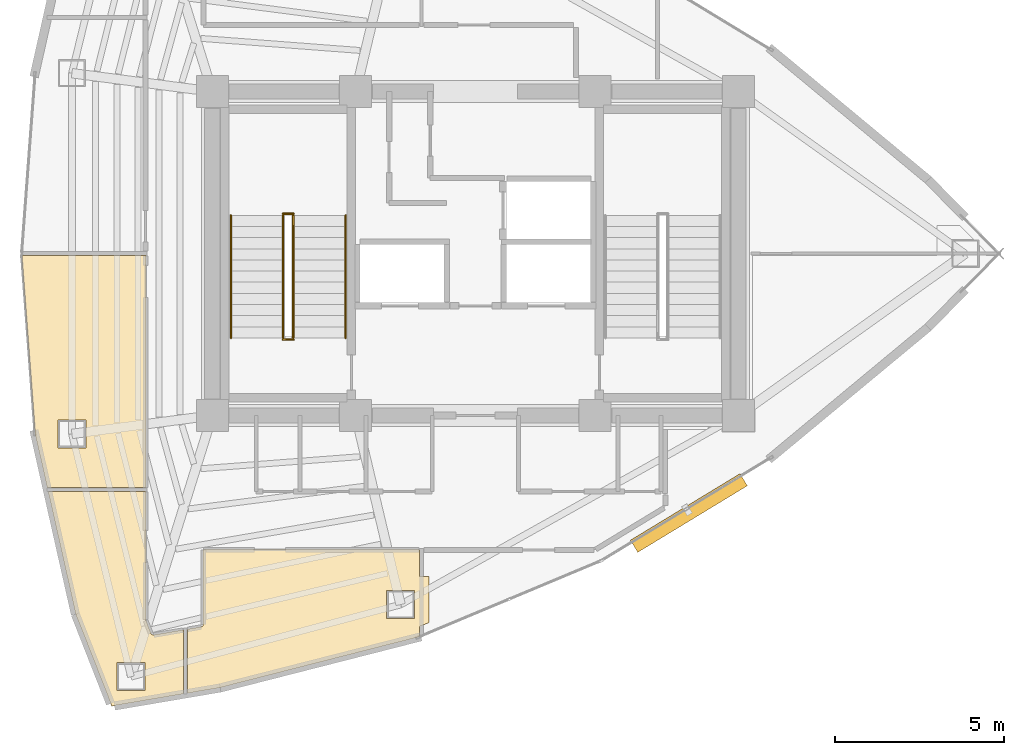
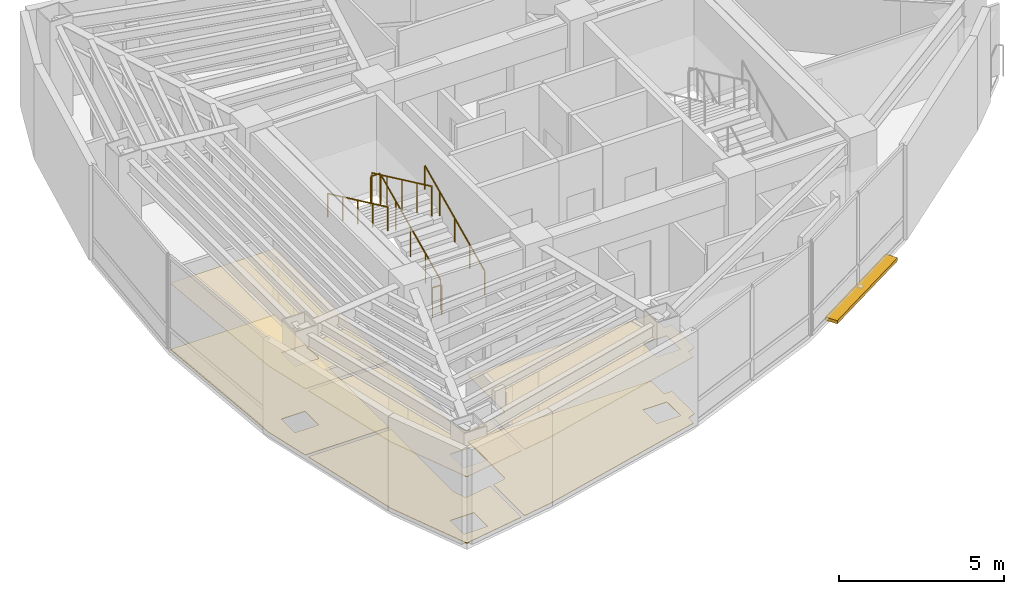
# One storey, part 14 of 15: 6 coverings, 6 railings, 1 shading device.
"""IFC4 building model written with IfcOpenShell, lengths in metres."""

from ifc_helpers import new_model, si_unit, direction, frame, origin, origin_2d, place, context, subcontext, project, spatial, polyline, rectangle, circle, outline, extrude, material, layer, layer_set, type_object, element, save


model = new_model("IFC4")

# Units and contexts
model_context = context("Model", 3, precision=1e-05, world=origin(), true_north=direction((0.0, 1.0)))
body_context = subcontext(model_context, "Body", "Model", "MODEL_VIEW")
ifc_project = project(units=[si_unit("LENGTHUNIT", "METRE"), si_unit("AREAUNIT", "SQUARE_METRE"), si_unit("VOLUMEUNIT", "CUBIC_METRE"), si_unit("PLANEANGLEUNIT", "RADIAN"), si_unit("MASSUNIT", "GRAM", prefix="KILO")], contexts=[model_context])

# Site, building, storey
site_placement = place(None, origin())
site = spatial("IfcSite", under=ifc_project, at=site_placement, CompositionType="ELEMENT")
building_placement = place(site_placement, origin())
building = spatial("IfcBuilding", under=site, at=building_placement, Name="Menara Vayukalpa", CompositionType="ELEMENT")
storey_placement = place(building_placement, frame((0.0, 0.0, 291.780029296875)))
storey = spatial("IfcBuildingStorey", under=building, at=storey_placement, Name="L74", CompositionType="ELEMENT", Elevation=291.780029296875)

# Coverings
ifc_material_1 = material(Name="Mineral Fibre Acoustic Ceiling Tile", Category="masonry")
ifc_layer_1 = layer(ifc_material_1, 0.02490234375)
ifc_layer_set_1 = layer_set([ifc_layer_1], Name="Mineral Fibre Acoustic Ceiling Tile")
covering_type_1 = type_object("IfcCoveringType", Name="COV-CLG1", PredefinedType="CEILING", material=ifc_layer_set_1)
covering_1_placement = place(storey_placement, frame((0.0, 0.0, 2.449951171875)))
element("IfcCovering", 1, at=covering_1_placement, inside=storey, type_object=covering_type_1, Name="L74 Visitor Reception Lounge Acoustic Ceiling", PredefinedType="CEILING", context=body_context, shape_type="SweptSolid", body=[
    extrude(outline(polyline([(12.1533203125, 21.92919921875), (12.1533203125, 21.93017578125), (12.1533203125, 21.93115234375), (12.153564453125, 21.93212890625), (12.15380859375, 21.93310546875), (12.154052734375, 21.93408203125), (12.154541015625, 21.934814453125), (12.155029296875, 21.935791015625), (12.155517578125, 21.936279296875), (12.15625, 21.93701171875), (12.156982421875, 21.937744140625), (12.15771484375, 21.9384765625), (12.15869140625, 21.93896484375), (12.159423828125, 21.939208984375), (12.160400390625, 21.939697265625), (12.161376953125, 21.939697265625), (12.162353515625, 21.93994140625), (12.163330078125, 21.93994140625), (15.820068359375, 21.93994140625), (15.821044921875, 21.93994140625), (15.822021484375, 21.939697265625), (15.822998046875, 21.939697265625), (15.82373046875, 21.939208984375), (15.82470703125, 21.938720703125), (15.82568359375, 21.938232421875), (15.826416015625, 21.937744140625), (15.8271484375, 21.93701171875), (15.82763671875, 21.936279296875), (15.828369140625, 21.935546875), (15.828857421875, 21.934814453125), (15.8291015625, 21.933837890625), (15.82958984375, 21.932861328125), (15.829833984375, 21.931884765625), (15.830078125, 21.930908203125), (15.830078125, 21.929931640625), (15.830078125, 15.070068359375), (15.830078125, 15.069091796875), (15.829833984375, 15.068115234375), (15.82958984375, 15.067138671875), (15.8291015625, 15.066162109375), (15.828857421875, 15.065185546875), (15.828369140625, 15.064453125), (15.82763671875, 15.063720703125), (15.8271484375, 15.06298828125), (15.826416015625, 15.062255859375), (15.82568359375, 15.061767578125), (15.82470703125, 15.061279296875), (15.82373046875, 15.060791015625), (15.822998046875, 15.060302734375), (15.822021484375, 15.060302734375), (15.821044921875, 15.06005859375), (15.820068359375, 15.06005859375), (12.915771484375, 15.06005859375), (12.914794921875, 15.06005859375), (12.913818359375, 15.060302734375), (12.912841796875, 15.060302734375), (12.911865234375, 15.060791015625), (12.9111328125, 15.06103515625), (12.91015625, 15.0615234375), (12.909423828125, 15.062255859375), (12.90869140625, 15.062744140625), (12.908203125, 15.0634765625), (12.907470703125, 15.064208984375), (12.906982421875, 15.065185546875), (12.906494140625, 15.06591796875), (12.90625, 15.06689453125), (12.906005859375, 15.06787109375), (12.549072265625, 16.654052734375), (12.548828125, 16.655517578125), (12.1533203125, 21.92919921875)]), holes=[polyline([(14.053955078125, 17.068359375), (13.22412109375, 17.068359375), (13.22412109375, 16.23828125), (14.053955078125, 16.23828125), (14.053955078125, 17.068359375)])]), origin(), (0.0, 0.0, 1.0), 0.02490234375),
])
covering_2_placement = place(storey_placement, frame((0.0, 0.0, 2.449951171875)))
element("IfcCovering", 2, at=covering_2_placement, inside=storey, type_object=covering_type_1, Name="L74 Visitor Reception Lounge Acoustic Ceiling", PredefinedType="CEILING", context=body_context, shape_type="SweptSolid", body=[
    extrude(outline(polyline([(14.826416015625, 8.589111328125), (14.82568359375, 8.58935546875), (14.82470703125, 8.58935546875), (14.82373046875, 8.589599609375), (14.82275390625, 8.590087890625), (14.822021484375, 8.590576171875), (14.821044921875, 8.591064453125), (14.8203125, 8.591552734375), (14.819580078125, 8.59228515625), (14.81884765625, 8.593017578125), (14.818359375, 8.59375), (14.81787109375, 8.5947265625), (14.8173828125, 8.595458984375), (13.751953125, 11.308837890625), (13.751708984375, 11.309814453125), (13.75146484375, 11.310302734375), (12.9375, 14.927734375), (12.937255859375, 14.9287109375), (12.937255859375, 14.9296875), (12.937255859375, 14.930908203125), (12.9375, 14.931884765625), (12.9375, 14.9326171875), (12.93798828125, 14.93359375), (12.938232421875, 14.9345703125), (12.938720703125, 14.935302734375), (12.939453125, 14.936279296875), (12.940185546875, 14.93701171875), (12.94091796875, 14.937744140625), (12.941650390625, 14.938232421875), (12.9423828125, 14.938720703125), (12.943359375, 14.939208984375), (12.9443359375, 14.939697265625), (12.9453125, 14.939697265625), (12.9462890625, 14.93994140625), (12.947265625, 14.93994140625), (15.820068359375, 14.93994140625), (15.821044921875, 14.93994140625), (15.822021484375, 14.939697265625), (15.822998046875, 14.939697265625), (15.82373046875, 14.939208984375), (15.82470703125, 14.938720703125), (15.82568359375, 14.938232421875), (15.826416015625, 14.937744140625), (15.8271484375, 14.93701171875), (15.82763671875, 14.936279296875), (15.828369140625, 14.935546875), (15.828857421875, 14.934814453125), (15.8291015625, 14.933837890625), (15.82958984375, 14.932861328125), (15.829833984375, 14.931884765625), (15.830078125, 14.930908203125), (15.830078125, 14.929931640625), (15.830078125, 11.146484375), (15.830322265625, 11.1396484375), (15.831298828125, 11.13330078125), (15.832763671875, 11.126708984375), (15.8349609375, 11.12060546875), (15.984619140625, 10.7392578125), (15.987548828125, 10.732666015625), (15.990966796875, 10.726806640625), (15.994873046875, 10.72119140625), (15.999267578125, 10.716064453125), (16.00439453125, 10.71142578125), (16.009765625, 10.707275390625), (16.015625, 10.70361328125), (16.021484375, 10.700439453125), (16.02783203125, 10.697998046875), (16.034423828125, 10.6962890625), (16.041259765625, 10.695068359375), (16.048095703125, 10.694580078125), (16.054931640625, 10.694580078125), (16.06201171875, 10.695556640625), (16.92822265625, 10.8427734375), (16.92919921875, 10.8427734375), (16.93017578125, 10.8427734375), (16.93115234375, 10.8427734375), (16.93212890625, 10.842529296875), (16.93310546875, 10.84228515625), (16.93408203125, 10.842041015625), (16.934814453125, 10.841552734375), (16.935791015625, 10.841064453125), (16.9365234375, 10.84033203125), (16.937255859375, 10.83984375), (16.937744140625, 10.839111328125), (16.9384765625, 10.83837890625), (16.93896484375, 10.83740234375), (16.939208984375, 10.836669921875), (16.939697265625, 10.835693359375), (16.939697265625, 10.834716796875), (16.93994140625, 10.833740234375), (16.93994140625, 10.832763671875), (16.93994140625, 8.956298828125), (16.93994140625, 8.955322265625), (16.939697265625, 8.954345703125), (16.939697265625, 8.953369140625), (16.939208984375, 8.952392578125), (16.938720703125, 8.951416015625), (16.938232421875, 8.95068359375), (16.9375, 8.94970703125), (16.93701171875, 8.94921875), (16.936279296875, 8.948486328125), (16.935302734375, 8.947998046875), (16.9345703125, 8.947509765625), (16.93359375, 8.947021484375), (16.9326171875, 8.94677734375), (16.931640625, 8.9462890625), (14.82861328125, 8.58935546875), (14.827392578125, 8.589111328125), (14.826416015625, 8.589111328125)]), holes=[polyline([(14.97412109375, 9.870361328125), (14.97412109375, 9.040283203125), (15.80419921875, 9.040283203125), (15.80419921875, 9.870361328125), (14.97412109375, 9.870361328125)])]), origin(), (0.0, 0.0, 1.0), 0.02490234375),
])
covering_3_placement = place(storey_placement, frame((0.0, 0.0, 2.449951171875)))
element("IfcCovering", 3, at=covering_3_placement, inside=storey, type_object=covering_type_1, Name="L74 Visitor Reception Lounge Acoustic Ceiling", PredefinedType="CEILING", context=body_context, shape_type="SweptSolid", body=[
    extrude(outline(polyline([(18.028564453125, 9.1328125), (18.027587890625, 9.132568359375), (17.07177734375, 8.97021484375), (17.07080078125, 8.97021484375), (17.069580078125, 8.97021484375), (17.06884765625, 8.97021484375), (17.06787109375, 8.97021484375), (17.06689453125, 8.970703125), (17.06591796875, 8.970947265625), (17.065185546875, 8.971435546875), (17.064208984375, 8.971923828125), (17.0634765625, 8.972412109375), (17.062744140625, 8.97314453125), (17.062255859375, 8.973876953125), (17.0615234375, 8.974609375), (17.06103515625, 8.9755859375), (17.060791015625, 8.976318359375), (17.060302734375, 8.977294921875), (17.060302734375, 8.978271484375), (17.06005859375, 8.97900390625), (17.06005859375, 8.97998046875), (17.06005859375, 10.8564453125), (17.06005859375, 10.857421875), (17.060302734375, 10.8583984375), (17.060302734375, 10.859619140625), (17.060791015625, 10.8603515625), (17.061279296875, 10.861328125), (17.061767578125, 10.8623046875), (17.0625, 10.863037109375), (17.06298828125, 10.86376953125), (17.063720703125, 10.8642578125), (17.064697265625, 10.864990234375), (17.0654296875, 10.865478515625), (17.06640625, 10.86572265625), (17.0673828125, 10.8662109375), (17.068359375, 10.866455078125), (17.471435546875, 10.934814453125), (17.478515625, 10.936279296875), (17.485107421875, 10.938720703125), (17.49169921875, 10.94140625), (17.497802734375, 10.94482421875), (17.50341796875, 10.94921875), (17.5087890625, 10.95361328125), (17.513427734375, 10.958740234375), (17.517822265625, 10.96435546875), (17.521484375, 10.97021484375), (17.5244140625, 10.9765625), (17.52685546875, 10.983154296875), (17.528564453125, 10.989990234375), (17.529541015625, 10.996826171875), (17.530029296875, 11.004150390625), (17.530029296875, 13.2099609375), (17.530029296875, 13.2109375), (17.5302734375, 13.2119140625), (17.530517578125, 13.212890625), (17.53076171875, 13.2138671875), (17.53125, 13.214599609375), (17.53173828125, 13.215576171875), (17.5322265625, 13.21630859375), (17.532958984375, 13.217041015625), (17.53369140625, 13.2177734375), (17.534423828125, 13.21826171875), (17.535400390625, 13.21875), (17.5361328125, 13.21923828125), (17.537109375, 13.219482421875), (17.5380859375, 13.2197265625), (17.5390625, 13.219970703125), (17.5400390625, 13.219970703125), (23.929931640625, 13.219970703125), (23.930908203125, 13.219970703125), (23.931884765625, 13.2197265625), (23.932861328125, 13.219482421875), (23.933837890625, 13.21923828125), (23.934814453125, 13.21875), (23.935546875, 13.21826171875), (23.936279296875, 13.2177734375), (23.93701171875, 13.217041015625), (23.937744140625, 13.21630859375), (23.938232421875, 13.215576171875), (23.938720703125, 13.214599609375), (23.939208984375, 13.2138671875), (23.939697265625, 13.212890625), (23.939697265625, 13.2119140625), (23.93994140625, 13.2109375), (23.93994140625, 13.2099609375), (23.93994140625, 12.43017578125), (24.216796875, 12.43017578125), (24.216796875, 11.05908203125), (23.93994140625, 10.943115234375), (23.93994140625, 10.656982421875), (23.93994140625, 10.656005859375), (23.939697265625, 10.6552734375), (23.939697265625, 10.654296875), (23.939208984375, 10.6533203125), (23.938720703125, 10.65234375), (23.938232421875, 10.651611328125), (23.937744140625, 10.65087890625), (23.93701171875, 10.64990234375), (23.936279296875, 10.6494140625), (23.935546875, 10.648681640625), (23.934814453125, 10.648193359375), (23.933837890625, 10.64794921875), (23.878662109375, 10.624755859375), (23.877197265625, 10.624267578125), (18.028564453125, 9.1328125)]), holes=[polyline([(23.796875, 12.01025390625), (22.966796875, 12.01025390625), (22.966796875, 11.18017578125), (23.796875, 11.18017578125), (23.796875, 12.01025390625)])]), origin(), (0.0, 0.0, 1.0), 0.02490234375),
])
ifc_material_2 = material(Name="Porcelain Stoneware Floor Tile", Category="masonry")
ifc_layer_2 = layer(ifc_material_2, 0.02001953125)
ifc_layer_set_2 = layer_set([ifc_layer_2], Name="Porcelain Stoneware Floor Tile")
covering_type_2 = type_object("IfcCoveringType", Name="COV-FLR1", PredefinedType="FLOORING", material=ifc_layer_set_2)
covering_4_placement = place(storey_placement, origin())
element("IfcCovering", 4, at=covering_4_placement, inside=storey, type_object=covering_type_2, Name="L74 Visitor Reception Lounge Porcelain Flooring", PredefinedType="FLOORING", context=body_context, shape_type="SweptSolid", body=[
    extrude(outline(polyline([(12.1533203125, 21.92919921875), (12.1533203125, 21.93017578125), (12.1533203125, 21.93115234375), (12.153564453125, 21.93212890625), (12.15380859375, 21.93310546875), (12.154052734375, 21.93408203125), (12.154541015625, 21.934814453125), (12.155029296875, 21.935791015625), (12.155517578125, 21.936279296875), (12.15625, 21.93701171875), (12.156982421875, 21.937744140625), (12.15771484375, 21.9384765625), (12.15869140625, 21.93896484375), (12.159423828125, 21.939208984375), (12.160400390625, 21.939697265625), (12.161376953125, 21.939697265625), (12.162353515625, 21.93994140625), (12.163330078125, 21.93994140625), (15.820068359375, 21.93994140625), (15.821044921875, 21.93994140625), (15.822021484375, 21.939697265625), (15.822998046875, 21.939697265625), (15.82373046875, 21.939208984375), (15.82470703125, 21.938720703125), (15.82568359375, 21.938232421875), (15.826416015625, 21.937744140625), (15.8271484375, 21.93701171875), (15.82763671875, 21.936279296875), (15.828369140625, 21.935546875), (15.828857421875, 21.934814453125), (15.8291015625, 21.933837890625), (15.82958984375, 21.932861328125), (15.829833984375, 21.931884765625), (15.830078125, 21.930908203125), (15.830078125, 21.929931640625), (15.830078125, 15.070068359375), (15.830078125, 15.069091796875), (15.829833984375, 15.068115234375), (15.82958984375, 15.067138671875), (15.8291015625, 15.066162109375), (15.828857421875, 15.065185546875), (15.828369140625, 15.064453125), (15.82763671875, 15.063720703125), (15.8271484375, 15.06298828125), (15.826416015625, 15.062255859375), (15.82568359375, 15.061767578125), (15.82470703125, 15.061279296875), (15.82373046875, 15.060791015625), (15.822998046875, 15.060302734375), (15.822021484375, 15.060302734375), (15.821044921875, 15.06005859375), (15.820068359375, 15.06005859375), (12.915771484375, 15.06005859375), (12.914794921875, 15.06005859375), (12.913818359375, 15.060302734375), (12.912841796875, 15.060302734375), (12.911865234375, 15.060791015625), (12.9111328125, 15.06103515625), (12.91015625, 15.0615234375), (12.909423828125, 15.062255859375), (12.90869140625, 15.062744140625), (12.908203125, 15.0634765625), (12.907470703125, 15.064208984375), (12.906982421875, 15.065185546875), (12.906494140625, 15.06591796875), (12.90625, 15.06689453125), (12.906005859375, 15.06787109375), (12.549072265625, 16.654052734375), (12.548828125, 16.655517578125), (12.1533203125, 21.92919921875)]), holes=[polyline([(14.053955078125, 17.068359375), (13.22412109375, 17.068359375), (13.22412109375, 16.23828125), (14.053955078125, 16.23828125), (14.053955078125, 17.068359375)])]), origin(), (0.0, 0.0, 1.0), 0.02001953125),
])
covering_5_placement = place(storey_placement, origin())
element("IfcCovering", 5, at=covering_5_placement, inside=storey, type_object=covering_type_2, Name="L74 Visitor Reception Lounge Porcelain Flooring", PredefinedType="FLOORING", context=body_context, shape_type="SweptSolid", body=[
    extrude(outline(polyline([(14.826416015625, 8.589111328125), (14.82568359375, 8.58935546875), (14.82470703125, 8.58935546875), (14.82373046875, 8.589599609375), (14.82275390625, 8.590087890625), (14.822021484375, 8.590576171875), (14.821044921875, 8.591064453125), (14.8203125, 8.591552734375), (14.819580078125, 8.59228515625), (14.81884765625, 8.593017578125), (14.818359375, 8.59375), (14.81787109375, 8.5947265625), (14.8173828125, 8.595458984375), (13.751953125, 11.308837890625), (13.751708984375, 11.309814453125), (13.75146484375, 11.310302734375), (12.9375, 14.927734375), (12.937255859375, 14.9287109375), (12.937255859375, 14.9296875), (12.937255859375, 14.930908203125), (12.9375, 14.931884765625), (12.9375, 14.9326171875), (12.93798828125, 14.93359375), (12.938232421875, 14.9345703125), (12.938720703125, 14.935302734375), (12.939453125, 14.936279296875), (12.940185546875, 14.93701171875), (12.94091796875, 14.937744140625), (12.941650390625, 14.938232421875), (12.9423828125, 14.938720703125), (12.943359375, 14.939208984375), (12.9443359375, 14.939697265625), (12.9453125, 14.939697265625), (12.9462890625, 14.93994140625), (12.947265625, 14.93994140625), (15.820068359375, 14.93994140625), (15.821044921875, 14.93994140625), (15.822021484375, 14.939697265625), (15.822998046875, 14.939697265625), (15.82373046875, 14.939208984375), (15.82470703125, 14.938720703125), (15.82568359375, 14.938232421875), (15.826416015625, 14.937744140625), (15.8271484375, 14.93701171875), (15.82763671875, 14.936279296875), (15.828369140625, 14.935546875), (15.828857421875, 14.934814453125), (15.8291015625, 14.933837890625), (15.82958984375, 14.932861328125), (15.829833984375, 14.931884765625), (15.830078125, 14.930908203125), (15.830078125, 14.929931640625), (15.830078125, 11.146484375), (15.830322265625, 11.1396484375), (15.831298828125, 11.13330078125), (15.832763671875, 11.126708984375), (15.8349609375, 11.12060546875), (15.984619140625, 10.7392578125), (15.987548828125, 10.732666015625), (15.990966796875, 10.726806640625), (15.994873046875, 10.72119140625), (15.999267578125, 10.716064453125), (16.00439453125, 10.71142578125), (16.009765625, 10.707275390625), (16.015625, 10.70361328125), (16.021484375, 10.700439453125), (16.02783203125, 10.697998046875), (16.034423828125, 10.6962890625), (16.041259765625, 10.695068359375), (16.048095703125, 10.694580078125), (16.054931640625, 10.694580078125), (16.06201171875, 10.695556640625), (16.92822265625, 10.8427734375), (16.92919921875, 10.8427734375), (16.93017578125, 10.8427734375), (16.93115234375, 10.8427734375), (16.93212890625, 10.842529296875), (16.93310546875, 10.84228515625), (16.93408203125, 10.842041015625), (16.934814453125, 10.841552734375), (16.935791015625, 10.841064453125), (16.9365234375, 10.84033203125), (16.937255859375, 10.83984375), (16.937744140625, 10.839111328125), (16.9384765625, 10.83837890625), (16.93896484375, 10.83740234375), (16.939208984375, 10.836669921875), (16.939697265625, 10.835693359375), (16.939697265625, 10.834716796875), (16.93994140625, 10.833740234375), (16.93994140625, 10.832763671875), (16.93994140625, 8.956298828125), (16.93994140625, 8.955322265625), (16.939697265625, 8.954345703125), (16.939697265625, 8.953369140625), (16.939208984375, 8.952392578125), (16.938720703125, 8.951416015625), (16.938232421875, 8.95068359375), (16.9375, 8.94970703125), (16.93701171875, 8.94921875), (16.936279296875, 8.948486328125), (16.935302734375, 8.947998046875), (16.9345703125, 8.947509765625), (16.93359375, 8.947021484375), (16.9326171875, 8.94677734375), (16.931640625, 8.9462890625), (14.82861328125, 8.58935546875), (14.827392578125, 8.589111328125), (14.826416015625, 8.589111328125)]), holes=[polyline([(14.97412109375, 9.870361328125), (14.97412109375, 9.040283203125), (15.80419921875, 9.040283203125), (15.80419921875, 9.870361328125), (14.97412109375, 9.870361328125)])]), origin(), (0.0, 0.0, 1.0), 0.02001953125),
])
covering_6_placement = place(storey_placement, origin())
element("IfcCovering", 6, at=covering_6_placement, inside=storey, type_object=covering_type_2, Name="L74 Visitor Reception Lounge Porcelain Flooring", PredefinedType="FLOORING", context=body_context, shape_type="SweptSolid", body=[
    extrude(outline(polyline([(18.028564453125, 9.1328125), (18.027587890625, 9.132568359375), (17.07177734375, 8.97021484375), (17.07080078125, 8.97021484375), (17.069580078125, 8.97021484375), (17.06884765625, 8.97021484375), (17.06787109375, 8.97021484375), (17.06689453125, 8.970703125), (17.06591796875, 8.970947265625), (17.065185546875, 8.971435546875), (17.064208984375, 8.971923828125), (17.0634765625, 8.972412109375), (17.062744140625, 8.97314453125), (17.062255859375, 8.973876953125), (17.0615234375, 8.974609375), (17.06103515625, 8.9755859375), (17.060791015625, 8.976318359375), (17.060302734375, 8.977294921875), (17.060302734375, 8.978271484375), (17.06005859375, 8.97900390625), (17.06005859375, 8.97998046875), (17.06005859375, 10.8564453125), (17.06005859375, 10.857421875), (17.060302734375, 10.8583984375), (17.060302734375, 10.859619140625), (17.060791015625, 10.8603515625), (17.061279296875, 10.861328125), (17.061767578125, 10.8623046875), (17.0625, 10.863037109375), (17.06298828125, 10.86376953125), (17.063720703125, 10.8642578125), (17.064697265625, 10.864990234375), (17.0654296875, 10.865478515625), (17.06640625, 10.86572265625), (17.0673828125, 10.8662109375), (17.068359375, 10.866455078125), (17.471435546875, 10.934814453125), (17.478515625, 10.936279296875), (17.485107421875, 10.938720703125), (17.49169921875, 10.94140625), (17.497802734375, 10.94482421875), (17.50341796875, 10.94921875), (17.5087890625, 10.95361328125), (17.513427734375, 10.958740234375), (17.517822265625, 10.96435546875), (17.521484375, 10.97021484375), (17.5244140625, 10.9765625), (17.52685546875, 10.983154296875), (17.528564453125, 10.989990234375), (17.529541015625, 10.996826171875), (17.530029296875, 11.004150390625), (17.530029296875, 13.2099609375), (17.530029296875, 13.2109375), (17.5302734375, 13.2119140625), (17.530517578125, 13.212890625), (17.53076171875, 13.2138671875), (17.53125, 13.214599609375), (17.53173828125, 13.215576171875), (17.5322265625, 13.21630859375), (17.532958984375, 13.217041015625), (17.53369140625, 13.2177734375), (17.534423828125, 13.21826171875), (17.535400390625, 13.21875), (17.5361328125, 13.21923828125), (17.537109375, 13.219482421875), (17.5380859375, 13.2197265625), (17.5390625, 13.219970703125), (17.5400390625, 13.219970703125), (23.929931640625, 13.219970703125), (23.930908203125, 13.219970703125), (23.931884765625, 13.2197265625), (23.932861328125, 13.219482421875), (23.933837890625, 13.21923828125), (23.934814453125, 13.21875), (23.935546875, 13.21826171875), (23.936279296875, 13.2177734375), (23.93701171875, 13.217041015625), (23.937744140625, 13.21630859375), (23.938232421875, 13.215576171875), (23.938720703125, 13.214599609375), (23.939208984375, 13.2138671875), (23.939697265625, 13.212890625), (23.939697265625, 13.2119140625), (23.93994140625, 13.2109375), (23.93994140625, 13.2099609375), (23.93994140625, 12.43017578125), (24.216796875, 12.43017578125), (24.216796875, 11.05908203125), (23.93994140625, 10.943115234375), (23.93994140625, 10.656982421875), (23.93994140625, 10.656005859375), (23.939697265625, 10.6552734375), (23.939697265625, 10.654296875), (23.939208984375, 10.6533203125), (23.938720703125, 10.65234375), (23.938232421875, 10.651611328125), (23.937744140625, 10.65087890625), (23.93701171875, 10.64990234375), (23.936279296875, 10.6494140625), (23.935546875, 10.648681640625), (23.934814453125, 10.648193359375), (23.933837890625, 10.64794921875), (23.878662109375, 10.624755859375), (23.877197265625, 10.624267578125), (18.028564453125, 9.1328125)]), holes=[polyline([(23.796875, 12.01025390625), (22.966796875, 12.01025390625), (22.966796875, 11.18017578125), (23.796875, 11.18017578125), (23.796875, 12.01025390625)])]), origin(), (0.0, 0.0, 1.0), 0.02001953125),
])

# Railings
ifc_material_3 = material(Name="Powder-Coated Galvanised Steel Guardrail", Category="steel")
railing_type_1 = type_object("IfcRailingType", Name="RLG-STG110", PredefinedType="GUARDRAIL", material=ifc_material_3)
railing_1_placement = place(storey_placement, frame((20.199951171875, 19.5, 0.155029296875)))
element("IfcRailing", 7, at=railing_1_placement, inside=storey, type_object=railing_type_1, Name="L74 ST-1 stair guard 1", PredefinedType="GUARDRAIL", context=body_context, shape_type="SweptSolid", body=[
    extrude(circle(Radius=0.02392578125, at=origin_2d()), frame((0.0, 0.0, 1.09619140625), z_axis=(0.0, 0.90513990983, 0.425113800803), x_axis=(-1.0, 0.0, 0.0)), (0.0, 0.0, 1.0), 4.01025390625),
    extrude(circle(Radius=0.02099609375, at=origin_2d()), origin(), (0.0, 0.0, 1.0), 1.072021484375),
    extrude(circle(Radius=0.02099609375, at=origin_2d()), frame((0.0, 0.907470703125, 0.42626953125)), (0.0, 0.0, 1.0), 1.072021484375),
    extrude(circle(Radius=0.02099609375, at=origin_2d()), frame((0.0, 1.81494140625, 0.8525390625)), (0.0, 0.0, 1.0), 1.072021484375),
    extrude(circle(Radius=0.02099609375, at=origin_2d()), frame((0.0, 2.722412109375, 1.278564453125)), (0.0, 0.0, 1.0), 1.072021484375),
    extrude(circle(Radius=0.02099609375, at=origin_2d()), frame((0.0, 3.6298828125, 1.704833984375)), (0.0, 0.0, 1.0), 1.072021484375),
])
railing_2_placement = place(storey_placement, frame((20.2099609375, 23.179931640625, 1.85986328125)))
element("IfcRailing", 8, at=railing_2_placement, inside=storey, type_object=railing_type_1, Name="L74 ST-1 stair guard 2", PredefinedType="GUARDRAIL", context=body_context, shape_type="SweptSolid", body=[
    extrude(circle(Radius=0.02392578125, at=origin_2d()), frame((0.0, 0.0, 1.09619140625), z_axis=(-1.0, 0.0, 0.0), x_axis=(0.0, -1.0, 0.0)), (0.0, 0.0, 1.0), 0.320068359375),
    extrude(circle(Radius=0.02099609375, at=origin_2d()), origin(), (0.0, 0.0, 1.0), 1.072021484375),
    extrude(circle(Radius=0.02099609375, at=origin_2d()), frame((-0.320068359375, 0.0, 0.0)), (0.0, 0.0, 1.0), 1.072021484375),
])
railing_3_placement = place(storey_placement, frame((19.89990234375, 23.1298828125, 2.014892578125)))
element("IfcRailing", 9, at=railing_3_placement, inside=storey, type_object=railing_type_1, Name="L74 ST-1 stair guard 3", PredefinedType="GUARDRAIL", context=body_context, shape_type="SweptSolid", body=[
    extrude(circle(Radius=0.02392578125, at=origin_2d()), frame((0.0, 0.0, 1.09619140625), z_axis=(0.0, -0.90511648382, 0.425163675209), x_axis=(1.0, 0.0, 0.0)), (0.0, 0.0, 1.0), 4.010498046875),
    extrude(circle(Radius=0.02099609375, at=origin_2d()), origin(), (0.0, 0.0, 1.0), 1.072021484375),
    extrude(circle(Radius=0.02099609375, at=origin_2d()), frame((0.0, -0.907470703125, 0.42626953125)), (0.0, 0.0, 1.0), 1.072021484375),
    extrude(circle(Radius=0.02099609375, at=origin_2d()), frame((0.0, -1.81494140625, 0.8525390625)), (0.0, 0.0, 1.0), 1.072021484375),
    extrude(circle(Radius=0.02099609375, at=origin_2d()), frame((0.0, -2.722412109375, 1.27880859375)), (0.0, 0.0, 1.0), 1.072021484375),
    extrude(circle(Radius=0.02099609375, at=origin_2d()), frame((0.0, -3.6298828125, 1.705078125)), (0.0, 0.0, 1.0), 1.072021484375),
])
railing_4_placement = place(storey_placement, frame((20.2099609375, 19.449951171875, 0.0)))
element("IfcRailing", 10, at=railing_4_placement, inside=storey, type_object=railing_type_1, Name="L74 ST-1 stair guard 4", PredefinedType="GUARDRAIL", context=body_context, shape_type="SweptSolid", body=[
    extrude(circle(Radius=0.02392578125, at=origin_2d()), frame((0.0, 0.0, 1.09619140625), z_axis=(-1.0, 0.0, 0.0), x_axis=(0.0, -1.0, 0.0)), (0.0, 0.0, 1.0), 0.320068359375),
    extrude(circle(Radius=0.02099609375, at=origin_2d()), origin(), (0.0, 0.0, 1.0), 1.072021484375),
    extrude(circle(Radius=0.02099609375, at=origin_2d()), frame((-0.320068359375, 0.0, 0.0)), (0.0, 0.0, 1.0), 1.072021484375),
])
ifc_material_4 = material(Name="Stainless Steel 316 Tubular Handrail", Category="steel")
railing_type_2 = type_object("IfcRailingType", Name="RLG-STH090", PredefinedType="HANDRAIL", material=ifc_material_4)
railing_5_placement = place(storey_placement, frame((21.75, 19.5, 0.155029296875)))
element("IfcRailing", 11, at=railing_5_placement, inside=storey, type_object=railing_type_2, Name="L74 ST-1 stair handrail 1", PredefinedType="HANDRAIL", context=body_context, shape_type="SweptSolid", body=[
    extrude(circle(Radius=0.02392578125, at=origin_2d()), frame((0.0, 0.0, 0.8759765625), z_axis=(0.0, 0.90513990983, 0.425113800803), x_axis=(-1.0, 0.0, 0.0)), (0.0, 0.0, 1.0), 4.01025390625),
    extrude(circle(Radius=0.02099609375, at=origin_2d()), origin(), (0.0, 0.0, 1.0), 0.851806640625),
    extrude(circle(Radius=0.02099609375, at=origin_2d()), frame((0.0, 0.907470703125, 0.42626953125)), (0.0, 0.0, 1.0), 0.851806640625),
    extrude(circle(Radius=0.02099609375, at=origin_2d()), frame((0.0, 1.81494140625, 0.8525390625)), (0.0, 0.0, 1.0), 0.851806640625),
    extrude(circle(Radius=0.02099609375, at=origin_2d()), frame((0.0, 2.722412109375, 1.278564453125)), (0.0, 0.0, 1.0), 0.851806640625),
    extrude(circle(Radius=0.02099609375, at=origin_2d()), frame((0.0, 3.6298828125, 1.704833984375)), (0.0, 0.0, 1.0), 0.851806640625),
])
railing_6_placement = place(storey_placement, frame((18.35009765625, 23.1298828125, 2.014892578125)))
element("IfcRailing", 12, at=railing_6_placement, inside=storey, type_object=railing_type_2, Name="L74 ST-1 stair handrail 2", PredefinedType="HANDRAIL", context=body_context, shape_type="SweptSolid", body=[
    extrude(circle(Radius=0.02392578125, at=origin_2d()), frame((0.0, 0.0, 0.8759765625), z_axis=(0.0, -0.90511648382, 0.425163675209), x_axis=(1.0, 0.0, 0.0)), (0.0, 0.0, 1.0), 4.010498046875),
    extrude(circle(Radius=0.02099609375, at=origin_2d()), origin(), (0.0, 0.0, 1.0), 0.851806640625),
    extrude(circle(Radius=0.02099609375, at=origin_2d()), frame((0.0, -0.907470703125, 0.42626953125)), (0.0, 0.0, 1.0), 0.851806640625),
    extrude(circle(Radius=0.02099609375, at=origin_2d()), frame((0.0, -1.81494140625, 0.8525390625)), (0.0, 0.0, 1.0), 0.851806640625),
    extrude(circle(Radius=0.02099609375, at=origin_2d()), frame((0.0, -2.722412109375, 1.27880859375)), (0.0, 0.0, 1.0), 0.851806640625),
    extrude(circle(Radius=0.02099609375, at=origin_2d()), frame((0.0, -3.6298828125, 1.705078125)), (0.0, 0.0, 1.0), 0.851806640625),
])

# Shading device
ifc_material_5 = material(Name="Glazed Terracotta Ceramic Baguette Extrusion", Category="masonry")
ifc_layer_3 = layer(ifc_material_5, 0.1201171875)
ifc_layer_set_3 = layer_set([ifc_layer_3], Name="Glazed Terracotta Ceramic Baguette Extrusion")
shading_device_type = type_object("IfcShadingDeviceType", Name="SHD-SS1", PredefinedType="USERDEFINED", material=ifc_layer_set_3)
shading_device_placement = place(storey_placement, frame((31.927978515625, 14.30859375, -0.10009765625), z_axis=(0.0, 0.0, 1.0), x_axis=(0.85466730962, 0.519176068272, 0.0)))
element("IfcShadingDevice", 13, at=shading_device_placement, inside=storey, type_object=shading_device_type, Name="L74 Horizontal Terracotta Sunshade Band 17", ObjectType="SUNSHADE", PredefinedType="USERDEFINED", context=body_context, shape_type="SweptSolid", body=[
    extrude(rectangle(XDim=3.800048828125, YDim=0.419921875, at=origin_2d()), origin(), (0.0, 0.0, 1.0), 0.1201171875),
])

save(model, "model.ifc")
